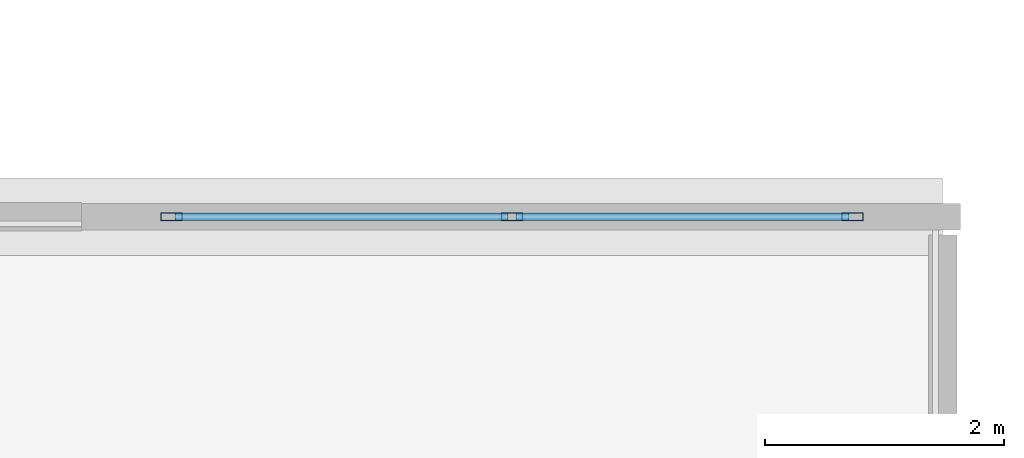
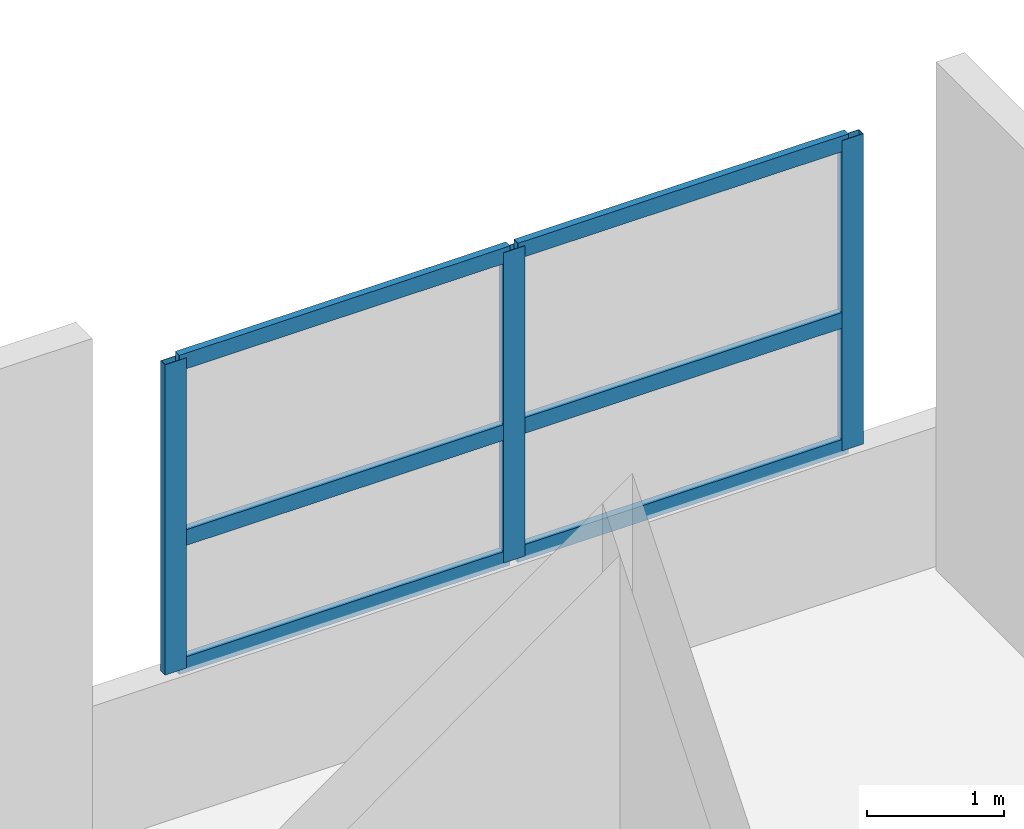
# One storey, part 60 of 140: 9 members, 1 element without a shape of its own.
"""IFC4 building model written with IfcOpenShell, lengths in metres."""

import ifcopenshell
import ifcopenshell.guid

model = None  # the IFC model being written
_history = None  # IfcOwnerHistory: only IFC2X3 demands one
_inside = {}  # id of a spatial element -> (the spatial element, [elements in it])
_under = {}  # id of a project, library or spatial element -> (it, [spatial elements below it])
_declared = {}  # id of a project -> (the project, [libraries it declares])
_typed = {}  # id of a type object -> (the type object, [elements of that type])
_made_of = {}  # id of a material, layer set ... -> (it, [elements and type objects made of it])


def new_model(schema):
    """Start an empty IFC model of exactly this schema.

    Asked for "IFC4X3", IfcOpenShell would pick the latest addendum, in which some entities
    have other attributes; the version numbers below select the first issue.
    IFC2X3 requires an IfcOwnerHistory on every rooted entity: one is made here for all.
    """
    global model, _history
    if schema == "IFC4X3":
        model = ifcopenshell.file(schema_version=(4, 3, 0, 0))
    else:
        model = ifcopenshell.file(schema=schema)
    _inside.clear()
    _under.clear()
    _declared.clear()
    _typed.clear()
    _made_of.clear()
    _history = None
    if model.schema == "IFC2X3":
        org = make("IfcOrganization", Name="unknown")
        user = make(
            "IfcPersonAndOrganization",
            ThePerson=make("IfcPerson", FamilyName="unknown"),
            TheOrganization=org,
        )
        app = make(
            "IfcApplication",
            ApplicationDeveloper=org,
            Version="unknown",
            ApplicationFullName="unknown",
            ApplicationIdentifier="unknown",
        )
        _history = make(
            "IfcOwnerHistory",
            OwningUser=user,
            OwningApplication=app,
            ChangeAction="ADDED",
            CreationDate=0,
        )
    return model


def make(cls, **values):
    """One entity of the class cls with the attributes given. An attribute that is None is left unset."""
    return model.create_entity(
        cls, **{name: value for name, value in values.items() if value is not None}
    )


def rooted(cls, **values):
    """An entity with a GlobalId (a new one), such as an element, a storey or a relation."""
    return make(cls, GlobalId=ifcopenshell.guid.new(), OwnerHistory=_history, **values)


def si_unit(unit_type, name, prefix=None):
    """IfcSIUnit, for example si_unit("LENGTHUNIT", "METRE", prefix="MILLI")."""
    return make("IfcSIUnit", UnitType=unit_type, Prefix=prefix, Name=name)


def assignment(units):
    """IfcUnitAssignment: the units of a project."""
    return None if units is None else make("IfcUnitAssignment", Units=units)


def point(xyz):
    """IfcCartesianPoint."""
    return None if xyz is None else make("IfcCartesianPoint", Coordinates=xyz)


def direction(xyz):
    """IfcDirection."""
    return None if xyz is None else make("IfcDirection", DirectionRatios=xyz)


def frame(location, z_axis=None, x_axis=None):
    """IfcAxis2Placement3D, a coordinate frame: its origin and axes. An axis left out is left unset."""
    return make(
        "IfcAxis2Placement3D",
        Location=point(location),
        Axis=direction(z_axis),
        RefDirection=direction(x_axis),
    )


def frame_2d(location, x_axis=None):
    """IfcAxis2Placement2D, a coordinate frame in the plane: its origin and x axis."""
    return make(
        "IfcAxis2Placement2D", Location=point(location), RefDirection=direction(x_axis)
    )


def origin():
    """The frame at (0, 0, 0) with its axes left unset."""
    return frame((0.0, 0.0, 0.0))


def origin_2d():
    """The frame at (0, 0) in the plane with its x axis left unset."""
    return frame_2d((0.0, 0.0))


def place(relative_to, where):
    """IfcLocalPlacement: puts the frame where relative to a parent placement (None: the world)."""
    return make(
        "IfcLocalPlacement", PlacementRelTo=relative_to, RelativePlacement=where
    )


def context(
    kind, dimensions, precision=None, world=None, true_north=None, identifier=None
):
    """IfcGeometricRepresentationContext, for example the 3D "Model" context."""
    return make(
        "IfcGeometricRepresentationContext",
        ContextIdentifier=identifier,
        ContextType=kind,
        CoordinateSpaceDimension=dimensions,
        Precision=precision,
        WorldCoordinateSystem=world,
        TrueNorth=true_north,
    )


def subcontext(parent, identifier, kind, view, scale=None):
    """IfcGeometricRepresentationSubContext, for example "Body" below "Model"."""
    return make(
        "IfcGeometricRepresentationSubContext",
        ContextIdentifier=identifier,
        ContextType=kind,
        ParentContext=parent,
        TargetScale=scale,
        TargetView=view,
    )


def project(units=None, contexts=None):
    """IfcProject with its units and contexts."""
    return rooted(
        "IfcProject",
        Name="project",
        RepresentationContexts=contexts,
        UnitsInContext=assignment(units),
    )


def spatial(cls, under=None, at=None, **own):
    """A site, building, storey or space (cls), placed at a placement, below another one or the project."""
    s = rooted(cls, ObjectPlacement=at, **own)
    if under is not None:
        _under.setdefault(under.id(), (under, []))[1].append(s)
    return s


def profile(cls, at=None, kind="AREA", **sizes):
    """A parametric profile (cls). Its sizes go by their IFC names, for example OverallWidth=200.0."""
    return make(cls, ProfileType=kind, Position=at, **sizes)


def hollow_rectangle(**sizes):
    """IfcRectangleHollowProfileDef."""
    return profile("IfcRectangleHollowProfileDef", **sizes)


def extrude(swept, where, along, depth):
    """IfcExtrudedAreaSolid: the profile swept, set in the frame where, extruded along a direction by depth."""
    return make(
        "IfcExtrudedAreaSolid",
        SweptArea=swept,
        Position=where,
        ExtrudedDirection=direction(along),
        Depth=depth,
    )


def shape(context_of_items, identifier, shape_type, items):
    """IfcShapeRepresentation: the items that make up one representation, for example the "Body"."""
    return make(
        "IfcShapeRepresentation",
        ContextOfItems=context_of_items,
        RepresentationIdentifier=identifier,
        RepresentationType=shape_type,
        Items=items,
    )


def material(Name=None, Category=None):
    """IfcMaterial."""
    return make("IfcMaterial", Name=Name, Category=Category)


def layer(
    of_material, thickness, ventilated=None, Name=None, Category=None, Priority=None
):
    """IfcMaterialLayer: one layer of a wall or slab, of a material (None: an air gap)."""
    return make(
        "IfcMaterialLayer",
        Material=of_material,
        LayerThickness=thickness,
        IsVentilated=ventilated,
        Name=Name,
        Category=Category,
        Priority=Priority,
    )


def layer_set(layers, Name=None):
    """IfcMaterialLayerSet."""
    return make("IfcMaterialLayerSet", MaterialLayers=layers, LayerSetName=Name)


def material_profile(
    of_material, cross_section, Name=None, Category=None, Priority=None
):
    """IfcMaterialProfile: a cross section and its material."""
    return make(
        "IfcMaterialProfile",
        Name=Name,
        Material=of_material,
        Profile=cross_section,
        Priority=Priority,
        Category=Category,
    )


def profile_set(profiles, Name=None, composite=None):
    """IfcMaterialProfileSet."""
    return make(
        "IfcMaterialProfileSet",
        Name=Name,
        MaterialProfiles=profiles,
        CompositeProfile=composite,
    )


def made_of(thing, what):
    """Note that an element or type object is made of a material, layer set ...; save() writes the relation."""
    if what is not None:
        _made_of.setdefault(what.id(), (what, []))[1].append(thing)
    return thing


def type_object(cls, material=None, **own):
    """A type object (cls), such as IfcWallType, which elements share."""
    return made_of(rooted(cls, **own), material)


def element(
    cls,
    number,
    at=None,
    inside=None,
    cuts=None,
    type_object=None,
    material=None,
    context=None,
    identifier="Body",
    shape_type=None,
    held_by="IfcProductDefinitionShape",
    body=None,
    shapes=None,
    **own,
):
    """One element of the class cls, such as IfcWall. Its Tag is "e" and its number.

    at: its placement. inside: the storey or other place that contains it. cuts: it is an
    opening in that element (IfcRelVoidsElement). A single representation is given by context,
    identifier, shape_type and body (its items); several are given by shapes. held_by: the class
    of the entity that holds the representations. save() writes the other relations.
    """
    e = rooted(cls, Tag="e%d" % number, ObjectPlacement=at, **own)
    if body is not None:
        shapes = [shape(context, identifier, shape_type, body)]
    if shapes is not None:
        e.Representation = make(held_by, Representations=shapes)
    if inside is not None:
        _inside.setdefault(inside.id(), (inside, []))[1].append(e)
    if cuts is not None:
        rooted(
            "IfcRelVoidsElement", RelatingBuildingElement=cuts, RelatedOpeningElement=e
        )
    if type_object is not None:
        _typed.setdefault(type_object.id(), (type_object, []))[1].append(e)
    return made_of(e, material)


def aggregate(whole, parts):
    """IfcRelAggregates: a whole, such as a stair, and the parts it consists of."""
    return rooted("IfcRelAggregates", RelatingObject=whole, RelatedObjects=parts)


def save(model, path):
    """Write the relations noted so far, then the file.

    IfcRelAggregates (storeys below a building ...), IfcRelContainedInSpatialStructure (elements
    in a storey), IfcRelDefinesByType, IfcRelAssociatesMaterial and IfcRelDeclares: one each for
    every whole, place, type object, material and project.
    """
    for whole, parts in _under.values():
        aggregate(whole, parts)
    for where, things in _inside.values():
        rooted(
            "IfcRelContainedInSpatialStructure",
            RelatedElements=things,
            RelatingStructure=where,
        )
    for kind, things in _typed.values():
        rooted("IfcRelDefinesByType", RelatedObjects=things, RelatingType=kind)
    for what, things in _made_of.values():
        rooted("IfcRelAssociatesMaterial", RelatedObjects=things, RelatingMaterial=what)
    for by, libraries in _declared.values():
        rooted("IfcRelDeclares", RelatingContext=by, RelatedDefinitions=libraries)
    model.write(path)


model = new_model("IFC4")

# Units and contexts
model_context = context("Model", 3, precision=1e-05, world=origin(), true_north=direction((0.0, 1.0)))
body_context = subcontext(model_context, "Body", "Model", "MODEL_VIEW")
ifc_project = project(units=[si_unit("LENGTHUNIT", "METRE"), si_unit("AREAUNIT", "SQUARE_METRE"), si_unit("VOLUMEUNIT", "CUBIC_METRE"), si_unit("PLANEANGLEUNIT", "RADIAN"), si_unit("MASSUNIT", "GRAM", prefix="KILO")], contexts=[model_context])

# Site, building, storey
site_placement = place(None, origin())
site = spatial("IfcSite", under=ifc_project, at=site_placement, CompositionType="ELEMENT")
building_placement = place(site_placement, origin())
building = spatial("IfcBuilding", under=site, at=building_placement, Name="Seraya Terrace Polytechnic", CompositionType="ELEMENT")
storey_placement = place(building_placement, frame((0.0, 0.0, 9.60009765625)))
storey = spatial("IfcBuildingStorey", under=building, at=storey_placement, Name="L02", CompositionType="ELEMENT", Elevation=9.60009765625)

# Curtain wall, members
ifc_material = material(Name="Anodised aluminium EN AW-6063 T6", Category="aluminium")
ifc_layer = layer(ifc_material, 0.179931640625, Name="CW-16")
ifc_layer_set = layer_set([ifc_layer], Name="Anodised aluminium EN AW-6063 T6")
curtain_wall_type = type_object("IfcCurtainWallType", Name="CW-16", PredefinedType="NOTDEFINED", material=ifc_layer_set)
curtain_wall_placement = place(storey_placement, origin())
curtain_wall = element("IfcCurtainWall", 1, at=curtain_wall_placement, inside=storey, type_object=curtain_wall_type, Name="Unitised curtain wall CW-16 (CW-L02-088)", PredefinedType="NOTDEFINED")
ifc_material_profile_1 = material_profile(ifc_material, hollow_rectangle(XDim=0.06494140625, YDim=0.179931640625, WallThickness=0.00390625, at=origin_2d()), Name="RHS 180x65x4.0")
ifc_profile_set_1 = profile_set([ifc_material_profile_1], Name="Anodised aluminium EN AW-6063 T6")
member_type_1 = type_object("IfcMemberType", Name="CWM-01", PredefinedType="MULLION", material=ifc_profile_set_1)
member_1_placement = place(storey_placement, frame((22.3525390625, 86.39990234375, 1.239990234375), z_axis=(0.0, 0.0, 1.0), x_axis=(0.0, 1.0, 0.0)))
member_1 = element("IfcMember", 2, at=member_1_placement, type_object=member_type_1, Name="CW-16 mullion 1", PredefinedType="MULLION", context=body_context, shape_type="SweptSolid", body=[
    extrude(hollow_rectangle(XDim=0.06494140625, YDim=0.179931640625, WallThickness=0.00390625, at=origin_2d()), origin(), (0.0, 0.0, 1.0), 2.760009765625),
])
member_2_placement = place(storey_placement, frame((25.199951171875, 86.39990234375, 1.239990234375), z_axis=(0.0, 0.0, 1.0), x_axis=(0.0, 1.0, 0.0)))
member_2 = element("IfcMember", 3, at=member_2_placement, type_object=member_type_1, Name="CW-16 mullion 2", PredefinedType="MULLION", context=body_context, shape_type="SweptSolid", body=[
    extrude(hollow_rectangle(XDim=0.06494140625, YDim=0.179931640625, WallThickness=0.00390625, at=origin_2d()), origin(), (0.0, 0.0, 1.0), 2.760009765625),
])
member_3_placement = place(storey_placement, frame((28.047607421875, 86.39990234375, 1.239990234375), z_axis=(0.0, 0.0, 1.0), x_axis=(0.0, 1.0, 0.0)))
member_3 = element("IfcMember", 4, at=member_3_placement, type_object=member_type_1, Name="CW-16 mullion 3", PredefinedType="MULLION", context=body_context, shape_type="SweptSolid", body=[
    extrude(hollow_rectangle(XDim=0.06494140625, YDim=0.179931640625, WallThickness=0.00390625, at=origin_2d()), origin(), (0.0, 0.0, 1.0), 2.760009765625),
])
ifc_material_profile_2 = material_profile(ifc_material, hollow_rectangle(XDim=0.06005859375, YDim=0.139892578125, WallThickness=0.00341796875, at=origin_2d()), Name="RHS 140x60x3.5")
ifc_profile_set_2 = profile_set([ifc_material_profile_2], Name="Anodised aluminium EN AW-6063 T6")
member_type_2 = type_object("IfcMemberType", Name="CWT-01", PredefinedType="USERDEFINED", material=ifc_profile_set_2)
member_4_placement = place(storey_placement, frame((22.385009765625, 86.39990234375, 1.27001953125), z_axis=(1.0, 0.0, 0.0), x_axis=(0.0, 1.0, 0.0)))
member_4 = element("IfcMember", 5, at=member_4_placement, type_object=member_type_2, Name="CW-16 transom 1.1", ObjectType="TRANSOM", PredefinedType="USERDEFINED", context=body_context, shape_type="SweptSolid", body=[
    extrude(hollow_rectangle(XDim=0.06005859375, YDim=0.139892578125, WallThickness=0.00341796875, at=origin_2d()), origin(), (0.0, 0.0, 1.0), 2.782470703125),
])
member_5_placement = place(storey_placement, frame((22.385009765625, 86.39990234375, 2.399169921875), z_axis=(1.0, 0.0, 0.0), x_axis=(0.0, 1.0, 0.0)))
member_5 = element("IfcMember", 6, at=member_5_placement, type_object=member_type_2, Name="CW-16 transom 1.2", ObjectType="TRANSOM", PredefinedType="USERDEFINED", context=body_context, shape_type="SweptSolid", body=[
    extrude(hollow_rectangle(XDim=0.06005859375, YDim=0.139892578125, WallThickness=0.00341796875, at=origin_2d()), origin(), (0.0, 0.0, 1.0), 2.782470703125),
])
member_6_placement = place(storey_placement, frame((22.385009765625, 86.39990234375, 3.969970703125), z_axis=(1.0, 0.0, 0.0), x_axis=(0.0, 1.0, 0.0)))
member_6 = element("IfcMember", 7, at=member_6_placement, type_object=member_type_2, Name="CW-16 transom 1.3", ObjectType="TRANSOM", PredefinedType="USERDEFINED", context=body_context, shape_type="SweptSolid", body=[
    extrude(hollow_rectangle(XDim=0.06005859375, YDim=0.139892578125, WallThickness=0.00341796875, at=origin_2d()), origin(), (0.0, 0.0, 1.0), 2.782470703125),
])
member_7_placement = place(storey_placement, frame((25.232421875, 86.39990234375, 1.27001953125), z_axis=(1.0, 0.0, 0.0), x_axis=(0.0, 1.0, 0.0)))
member_7 = element("IfcMember", 8, at=member_7_placement, type_object=member_type_2, Name="CW-16 transom 2.1", ObjectType="TRANSOM", PredefinedType="USERDEFINED", context=body_context, shape_type="SweptSolid", body=[
    extrude(hollow_rectangle(XDim=0.06005859375, YDim=0.139892578125, WallThickness=0.00341796875, at=origin_2d()), origin(), (0.0, 0.0, 1.0), 2.782470703125),
])
member_8_placement = place(storey_placement, frame((25.232421875, 86.39990234375, 2.399169921875), z_axis=(1.0, 0.0, 0.0), x_axis=(0.0, 1.0, 0.0)))
member_8 = element("IfcMember", 9, at=member_8_placement, type_object=member_type_2, Name="CW-16 transom 2.2", ObjectType="TRANSOM", PredefinedType="USERDEFINED", context=body_context, shape_type="SweptSolid", body=[
    extrude(hollow_rectangle(XDim=0.06005859375, YDim=0.139892578125, WallThickness=0.00341796875, at=origin_2d()), origin(), (0.0, 0.0, 1.0), 2.782470703125),
])
member_9_placement = place(storey_placement, frame((25.232421875, 86.39990234375, 3.969970703125), z_axis=(1.0, 0.0, 0.0), x_axis=(0.0, 1.0, 0.0)))
member_9 = element("IfcMember", 10, at=member_9_placement, type_object=member_type_2, Name="CW-16 transom 2.3", ObjectType="TRANSOM", PredefinedType="USERDEFINED", context=body_context, shape_type="SweptSolid", body=[
    extrude(hollow_rectangle(XDim=0.06005859375, YDim=0.139892578125, WallThickness=0.00341796875, at=origin_2d()), origin(), (0.0, 0.0, 1.0), 2.782470703125),
])
aggregate(curtain_wall, [member_1, member_2, member_3, member_4, member_5, member_6, member_7, member_8, member_9])

save(model, "model.ifc")
